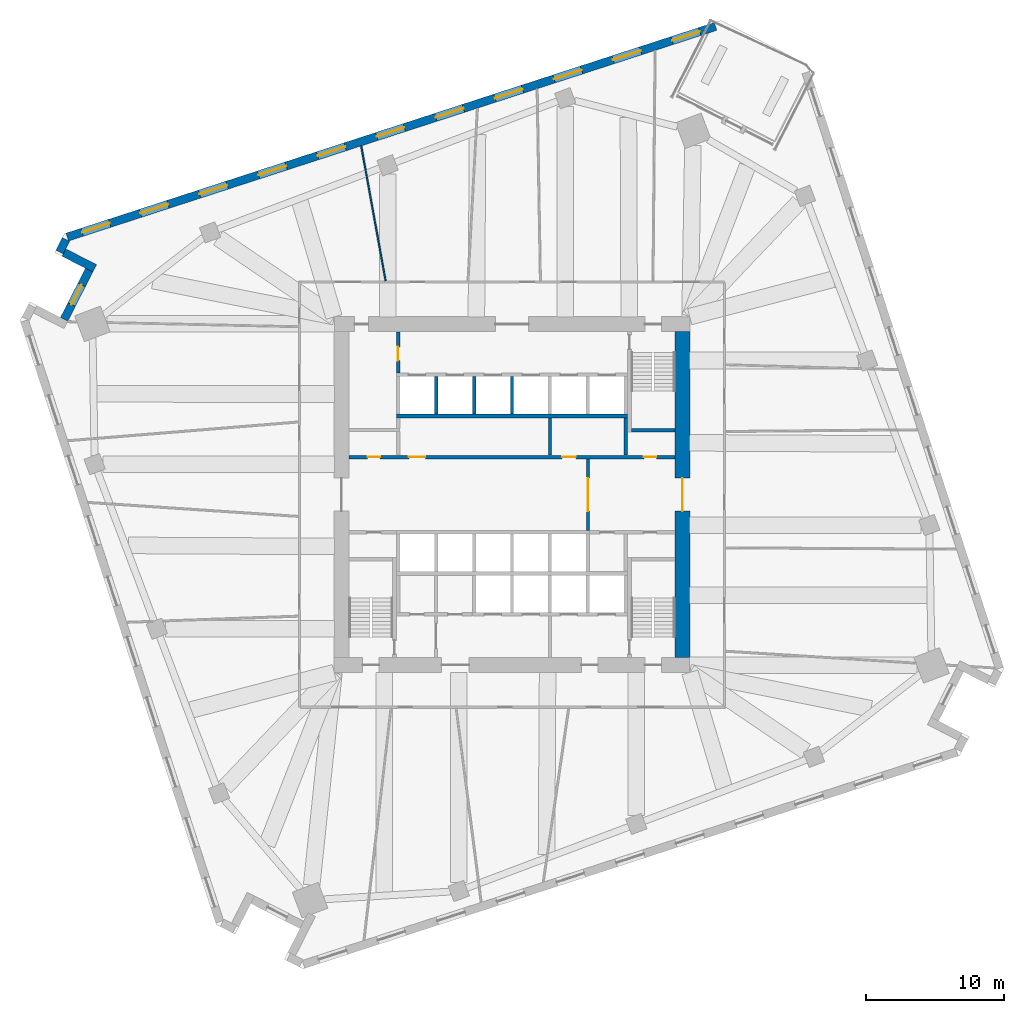
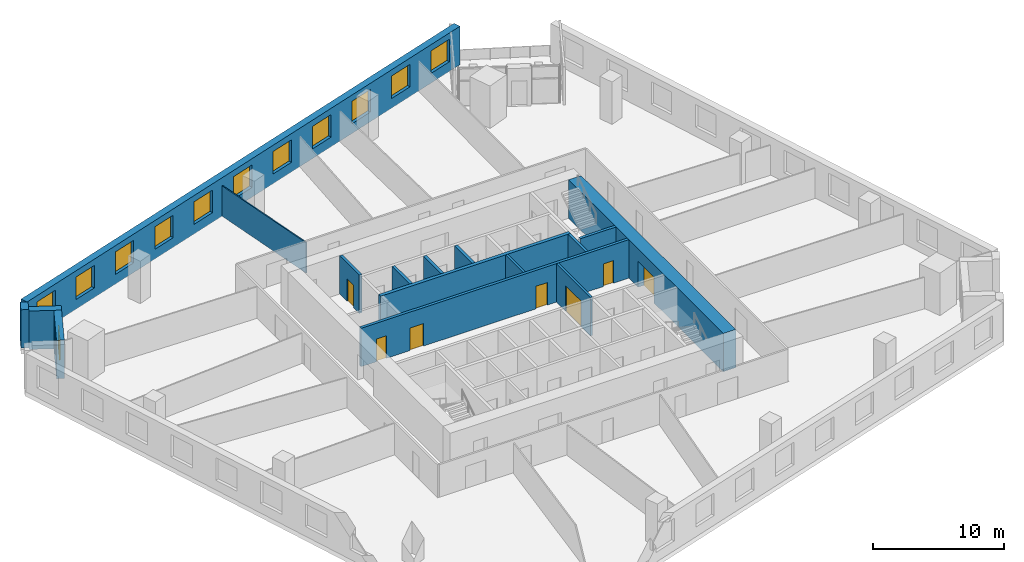
# One storey, part 8 of 12: 16 walls, 12 windows, 7 doors, 19 openings.
"""IFC4 building model written with IfcOpenShell, lengths in metres."""

from ifc_helpers import new_model, si_unit, direction, frame, frame_2d, origin, place, context, subcontext, project, spatial, rectangle, extrude, material, layer, layer_set, type_object, element, fill, save


model = new_model("IFC4")

# Units and contexts
model_context = context("Model", 3, precision=1e-05, world=origin(), true_north=direction((0.0, 1.0)))
body_context = subcontext(model_context, "Body", "Model", "MODEL_VIEW")
ifc_project = project(units=[si_unit("LENGTHUNIT", "METRE"), si_unit("AREAUNIT", "SQUARE_METRE"), si_unit("VOLUMEUNIT", "CUBIC_METRE"), si_unit("PLANEANGLEUNIT", "RADIAN"), si_unit("MASSUNIT", "GRAM", prefix="KILO")], contexts=[model_context])

# Site, building, storey
site_placement = place(None, origin())
site = spatial("IfcSite", under=ifc_project, at=site_placement, CompositionType="ELEMENT")
building_placement = place(site_placement, origin())
building = spatial("IfcBuilding", under=site, at=building_placement, Name="Dilmun Exchange Tower", CompositionType="ELEMENT")
storey_placement = place(building_placement, frame((0.0, 0.0, 90.10009765625)))
storey = spatial("IfcBuildingStorey", under=building, at=storey_placement, Name="L20", CompositionType="ELEMENT", Elevation=90.10009765625)

# Wall, opening, door
ifc_material_1 = material(Name="Concrete C40/50", Category="concrete")
ifc_layer_1 = layer(ifc_material_1, 0.199951171875)
ifc_layer_set_1 = layer_set([ifc_layer_1], Name="Concrete C40/50")
wall_type_1 = type_object("IfcWallType", Name="Core partition wall 200", PredefinedType="PARTITIONING", material=ifc_layer_set_1)
wall_1_placement = place(storey_placement, frame((5.5, -2.594970703125, 0.0), z_axis=(0.0, 0.0, 1.0), x_axis=(0.0, 1.0, 0.0)))
wall_1 = element("IfcWall", 1, at=wall_1_placement, inside=storey, type_object=wall_type_1, Name="L20 core partition wall 09", PredefinedType="PARTITIONING", context=body_context, shape_type="SweptSolid", body=[
    extrude(rectangle(XDim=5.18994140625, YDim=0.199951171875, at=frame_2d((2.594970703125, 0.0))), origin(), (0.0, 0.0, 1.0), 3.579833984375),
])
opening_1_placement = place(wall_1_placement, frame((1.39501953125, 0.0, 0.0)))
opening_1 = element("IfcOpeningElement", 2, at=opening_1_placement, cuts=wall_1, Name="Opening CD1", PredefinedType="OPENING", context=body_context, shape_type="SweptSolid", body=[
    extrude(rectangle(XDim=2.39990234375, YDim=2.39990234375, at=frame_2d((1.199951171875, 1.199951171875))), frame((0.0, 0.10986328125, 0.0), z_axis=(0.0, -1.0, 0.0), x_axis=(1.0, 0.0, 0.0)), (0.0, 0.0, 1.0), 0.219970703125),
])
ifc_material_2 = material(Name="Fire-rated steel door set", Category="steel")
door_type_1 = type_object("IfcDoorType", Name="Core lobby door 2400x2400", OperationType="DOUBLE_DOOR_DOUBLE_SWING", PredefinedType="DOOR", material=ifc_material_2)
door_1_placement = place(opening_1_placement, origin())
door_1 = element("IfcDoor", 3, at=door_1_placement, inside=storey, type_object=door_type_1, Name="L20 door Lift lobby east", OperationType="SINGLE_SWING_LEFT", OverallHeight=2.39990234375, OverallWidth=2.39990234375, PredefinedType="DOOR", context=body_context, shape_type="SweptSolid", body=[
    extrude(rectangle(XDim=2.39990234375, YDim=2.39990234375, at=frame_2d((1.199951171875, 1.199951171875))), frame((0.0, 0.02490234375, 0.0), z_axis=(0.0, -1.0, 0.0), x_axis=(1.0, 0.0, 0.0)), (0.0, 0.0, 1.0), 0.050048828125),
])
fill(opening_1, door_1)

# Wall
wall_2_placement = place(storey_placement, frame((2.75, 2.85498046875, 0.0), z_axis=(0.0, 0.0, 1.0), x_axis=(0.0, 1.0, 0.0)))
element("IfcWall", 4, at=wall_2_placement, inside=storey, type_object=wall_type_1, Name="L20 core partition wall 12", PredefinedType="PARTITIONING", context=body_context, shape_type="SweptSolid", body=[
    extrude(rectangle(XDim=2.68994140625, YDim=0.199951171875, at=frame_2d((1.344970703125, 0.0))), origin(), (0.0, 0.0, 1.0), 3.579833984375),
])

# Wall, openings, doors
ifc_layer_2 = layer(ifc_material_1, 0.25)
ifc_layer_set_2 = layer_set([ifc_layer_2], Name="Concrete C40/50")
wall_type_2 = type_object("IfcWallType", Name="Core partition wall 250", PredefinedType="PARTITIONING", material=ifc_layer_set_2)
wall_3_placement = place(storey_placement, frame((-11.794921875, 2.72509765625, 0.0), z_axis=(0.0, 0.0, 1.0), x_axis=(1.0, 0.0, 0.0)))
wall_3 = element("IfcWall", 5, at=wall_3_placement, inside=storey, type_object=wall_type_2, Name="L20 core partition wall 10", PredefinedType="PARTITIONING", context=body_context, shape_type="SweptSolid", body=[
    extrude(rectangle(XDim=23.58984375, YDim=0.25, at=frame_2d((11.794921875, 0.0))), origin(), (0.0, 0.0, 1.0), 3.579833984375),
])
opening_2_placement = place(wall_3_placement, frame((21.344970703125, 0.0, 0.0)))
opening_2 = element("IfcOpeningElement", 6, at=opening_2_placement, cuts=wall_3, Name="Opening CD6", PredefinedType="OPENING", context=body_context, shape_type="SweptSolid", body=[
    extrude(rectangle(XDim=0.89990234375, YDim=2.10009765625, at=frame_2d((0.449951171875, 1.050048828125))), frame((0.0, 0.135009765625, 0.0), z_axis=(0.0, -1.0, 0.0), x_axis=(1.0, 0.0, 0.0)), (0.0, 0.0, 1.0), 0.27001953125),
])
opening_3_placement = place(wall_3_placement, frame((1.344970703125, 0.0, 0.0)))
opening_3 = element("IfcOpeningElement", 7, at=opening_3_placement, cuts=wall_3, Name="Opening CD6", PredefinedType="OPENING", context=body_context, shape_type="SweptSolid", body=[
    extrude(rectangle(XDim=0.89990234375, YDim=2.10009765625, at=frame_2d((0.449951171875, 1.050048828125))), frame((0.0, 0.135009765625, 0.0), z_axis=(0.0, -1.0, 0.0), x_axis=(1.0, 0.0, 0.0)), (0.0, 0.0, 1.0), 0.27001953125),
])
opening_4_placement = place(wall_3_placement, frame((4.320068359375, 0.0, 0.0)))
opening_4 = element("IfcOpeningElement", 8, at=opening_4_placement, cuts=wall_3, Name="Opening CD3", PredefinedType="OPENING", context=body_context, shape_type="SweptSolid", body=[
    extrude(rectangle(XDim=1.199951171875, YDim=2.10009765625, at=frame_2d((0.60009765625, 1.050048828125))), frame((0.0, 0.135009765625, 0.0), z_axis=(0.0, -1.0, 0.0), x_axis=(1.0, 0.0, 0.0)), (0.0, 0.0, 1.0), 0.27001953125),
])
opening_5_placement = place(wall_3_placement, frame((15.419921875, 0.0, 0.0)))
opening_5 = element("IfcOpeningElement", 9, at=opening_5_placement, cuts=wall_3, Name="Opening CD4", PredefinedType="OPENING", context=body_context, shape_type="SweptSolid", body=[
    extrude(rectangle(XDim=1.0, YDim=2.10009765625, at=frame_2d((0.5, 1.050048828125))), frame((0.0, 0.135009765625, 0.0), z_axis=(0.0, -1.0, 0.0), x_axis=(1.0, 0.0, 0.0)), (0.0, 0.0, 1.0), 0.27001953125),
])
door_type_2 = type_object("IfcDoorType", Name="Core room door 1000x2100", OperationType="SINGLE_SWING_LEFT", PredefinedType="DOOR", material=ifc_material_2)
door_2_placement = place(opening_5_placement, origin())
door_2 = element("IfcDoor", 10, at=door_2_placement, inside=storey, type_object=door_type_2, Name="L20 door Switch room", OperationType="SINGLE_SWING_LEFT", OverallHeight=2.10009765625, OverallWidth=1.0, PredefinedType="DOOR", context=body_context, shape_type="SweptSolid", body=[
    extrude(rectangle(XDim=1.0, YDim=2.10009765625, at=frame_2d((0.5, 1.050048828125))), frame((0.0, 0.02490234375, 0.0), z_axis=(0.0, -1.0, 0.0), x_axis=(1.0, 0.0, 0.0)), (0.0, 0.0, 1.0), 0.050048828125),
])
fill(opening_5, door_2)
door_type_3 = type_object("IfcDoorType", Name="Core room door 900x2100", OperationType="SINGLE_SWING_LEFT", PredefinedType="DOOR", material=ifc_material_2)
door_3_placement = place(opening_2_placement, origin())
door_3 = element("IfcDoor", 11, at=door_3_placement, inside=storey, type_object=door_type_3, Name="L20 door Electrical riser", OperationType="SINGLE_SWING_LEFT", OverallHeight=2.10009765625, OverallWidth=0.89990234375, PredefinedType="DOOR", context=body_context, shape_type="SweptSolid", body=[
    extrude(rectangle(XDim=0.89990234375, YDim=2.10009765625, at=frame_2d((0.449951171875, 1.050048828125))), frame((0.0, 0.02490234375, 0.0), z_axis=(0.0, -1.0, 0.0), x_axis=(1.0, 0.0, 0.0)), (0.0, 0.0, 1.0), 0.050048828125),
])
fill(opening_2, door_3)
door_4_placement = place(opening_3_placement, origin())
door_4 = element("IfcDoor", 12, at=door_4_placement, inside=storey, type_object=door_type_3, Name="L20 door Plumbing riser", OperationType="SINGLE_SWING_LEFT", OverallHeight=2.10009765625, OverallWidth=0.89990234375, PredefinedType="DOOR", context=body_context, shape_type="SweptSolid", body=[
    extrude(rectangle(XDim=0.89990234375, YDim=2.10009765625, at=frame_2d((0.449951171875, 1.050048828125))), frame((0.0, 0.02490234375, 0.0), z_axis=(0.0, -1.0, 0.0), x_axis=(1.0, 0.0, 0.0)), (0.0, 0.0, 1.0), 0.050048828125),
])
fill(opening_3, door_4)
door_type_4 = type_object("IfcDoorType", Name="Stair exit door 1200x2100", OperationType="SINGLE_SWING_LEFT", PredefinedType="DOOR", material=ifc_material_2)
door_5_placement = place(opening_4_placement, origin())
door_5 = element("IfcDoor", 13, at=door_5_placement, inside=storey, type_object=door_type_4, Name="L20 door Tenant amenity store", OperationType="SINGLE_SWING_LEFT", OverallHeight=2.10009765625, OverallWidth=1.199951171875, PredefinedType="DOOR", context=body_context, shape_type="SweptSolid", body=[
    extrude(rectangle(XDim=1.199951171875, YDim=2.10009765625, at=frame_2d((0.60009765625, 1.050048828125))), frame((0.0, 0.02490234375, 0.0), z_axis=(0.0, -1.0, 0.0), x_axis=(1.0, 0.0, 0.0)), (0.0, 0.0, 1.0), 0.050048828125),
])
fill(opening_4, door_5)

# Wall
wall_4_placement = place(storey_placement, frame((8.25, 2.85498046875, 0.0), z_axis=(0.0, 0.0, 1.0), x_axis=(0.0, 1.0, 0.0)))
element("IfcWall", 14, at=wall_4_placement, inside=storey, type_object=wall_type_2, Name="L20 core partition wall 13", PredefinedType="PARTITIONING", context=body_context, shape_type="SweptSolid", body=[
    extrude(rectangle(XDim=2.68994140625, YDim=0.25, at=frame_2d((1.344970703125, 0.0))), origin(), (0.0, 0.0, 1.0), 3.579833984375),
])

# Wall, opening, door
wall_5_placement = place(storey_placement, frame((-8.25, 8.804931640625, 0.0), z_axis=(0.0, 0.0, 1.0), x_axis=(0.0, 1.0, 0.0)))
wall_5 = element("IfcWall", 15, at=wall_5_placement, inside=storey, type_object=wall_type_2, Name="L20 core partition wall 16", PredefinedType="PARTITIONING", context=body_context, shape_type="SweptSolid", body=[
    extrude(rectangle(XDim=2.989990234375, YDim=0.25, at=frame_2d((1.4951171875, 0.0))), origin(), (0.0, 0.0, 1.0), 3.579833984375),
])
opening_6_placement = place(wall_5_placement, frame((0.89501953125, 0.0, 0.0)))
opening_6 = element("IfcOpeningElement", 16, at=opening_6_placement, cuts=wall_5, Name="Opening CD4", PredefinedType="OPENING", context=body_context, shape_type="SweptSolid", body=[
    extrude(rectangle(XDim=1.0, YDim=2.10009765625, at=frame_2d((0.5, 1.050048828125))), frame((0.0, 0.135009765625, 0.0), z_axis=(0.0, -1.0, 0.0), x_axis=(1.0, 0.0, 0.0)), (0.0, 0.0, 1.0), 0.27001953125),
])
door_6_placement = place(opening_6_placement, origin())
door_6 = element("IfcDoor", 17, at=door_6_placement, inside=storey, type_object=door_type_2, Name="L20 door Facilities office", OperationType="SINGLE_SWING_LEFT", OverallHeight=2.10009765625, OverallWidth=1.0, PredefinedType="DOOR", context=body_context, shape_type="SweptSolid", body=[
    extrude(rectangle(XDim=1.0, YDim=2.10009765625, at=frame_2d((0.5, 1.050048828125))), frame((0.0, 0.02490234375, 0.0), z_axis=(0.0, -1.0, 0.0), x_axis=(1.0, 0.0, 0.0)), (0.0, 0.0, 1.0), 0.050048828125),
])
fill(opening_6, door_6)

ifc_material_3 = material(Name="Concrete C80/95", Category="concrete")
ifc_layer_3 = layer(ifc_material_3, 1.10009765625)
ifc_layer_set_3 = layer_set([ifc_layer_3], Name="Concrete C80/95")
wall_type_3 = type_object("IfcWallType", Name="Core shear wall 1100 Concrete C80/95", PredefinedType="SHEAR", material=ifc_layer_set_3)
wall_6_placement = place(storey_placement, frame((12.35009765625, -11.800048828125, 0.0), z_axis=(0.0, 0.0, 1.0), x_axis=(0.0, 1.0, 0.0)))
wall_6 = element("IfcWall", 18, at=wall_6_placement, inside=storey, type_object=wall_type_3, Name="L20 core shear wall E", PredefinedType="SHEAR", context=body_context, shape_type="SweptSolid", body=[
    extrude(rectangle(XDim=23.60009765625, YDim=1.10009765625, at=frame_2d((11.800048828125, 0.0))), origin(), (0.0, 0.0, 1.0), 3.579833984375),
])
opening_7_placement = place(wall_6_placement, frame((10.60009765625, 0.0, 0.0)))
opening_7 = element("IfcOpeningElement", 19, at=opening_7_placement, cuts=wall_6, Name="Opening CD1", PredefinedType="OPENING", context=body_context, shape_type="SweptSolid", body=[
    extrude(rectangle(XDim=2.39990234375, YDim=2.39990234375, at=frame_2d((1.199951171875, 1.199951171875))), frame((0.0, 0.56005859375, 0.0), z_axis=(0.0, -1.0, 0.0), x_axis=(1.0, 0.0, 0.0)), (0.0, 0.0, 1.0), 1.1201171875),
])
door_7_placement = place(opening_7_placement, origin())
door_7 = element("IfcDoor", 20, at=door_7_placement, inside=storey, type_object=door_type_1, Name="L20 door Central lift lobby", OperationType="SINGLE_SWING_LEFT", OverallHeight=2.39990234375, OverallWidth=2.39990234375, PredefinedType="DOOR", context=body_context, shape_type="SweptSolid", body=[
    extrude(rectangle(XDim=2.39990234375, YDim=2.39990234375, at=frame_2d((1.199951171875, 1.199951171875))), frame((0.0, 0.02490234375, 0.0), z_axis=(0.0, -1.0, 0.0), x_axis=(1.0, 0.0, 0.0)), (0.0, 0.0, 1.0), 0.050048828125),
])
fill(opening_7, door_7)

# Walls
ifc_layer_4 = layer(ifc_material_1, 0.300048828125)
ifc_layer_set_4 = layer_set([ifc_layer_4], Name="Concrete C40/50")
wall_type_4 = type_object("IfcWallType", Name="Lift shaft shared wall 300", PredefinedType="SOLIDWALL", material=ifc_layer_set_4)
wall_7_placement = place(storey_placement, frame((-8.375, 5.699951171875, 0.0), z_axis=(0.0, 0.0, 1.0), x_axis=(1.0, 0.0, 0.0)))
element("IfcWall", 21, at=wall_7_placement, inside=storey, type_object=wall_type_4, Name="L20 lift shaft rear wall N", PredefinedType="SOLIDWALL", context=body_context, shape_type="SweptSolid", body=[
    extrude(rectangle(XDim=16.75, YDim=0.300048828125, at=frame_2d((8.375, 0.0))), origin(), (0.0, 0.0, 1.0), 3.579833984375),
])
ifc_layer_5 = layer(ifc_material_1, 0.25)
ifc_layer_set_5 = layer_set([ifc_layer_5], Name="Concrete C40/50")
wall_type_5 = type_object("IfcWallType", Name="Lift shaft wall 250", PredefinedType="SOLIDWALL", material=ifc_layer_set_5)
for number, where, z_axis, x_axis, name in (
    (22, (-5.5, 5.85009765625, 0.0), (0.0, 0.0, 1.0), (0.0, 1.0, 0.0), "L20 lift shaft divider N21"),
    (23, (-2.75, 5.85009765625, 0.0), (0.0, 0.0, 1.0), (0.0, 1.0, 0.0), "L20 lift shaft divider N22"),
    (24, (0.0, 5.85009765625, 0.0), (0.0, 0.0, 1.0), (0.0, 1.0, 0.0), "L20 lift shaft divider N23"),
):
    element("IfcWall", number, at=place(storey_placement, frame(where, z_axis=z_axis, x_axis=x_axis)), inside=storey, type_object=wall_type_5, Name=name, PredefinedType="SOLIDWALL", context=body_context, shape_type="SweptSolid", body=[
        extrude(rectangle(XDim=2.699951171875, YDim=0.25, at=frame_2d((1.35009765625, 0.0))), origin(), (0.0, 0.0, 1.0), 3.579833984375),
    ])
ifc_material_4 = material(Name="Partition 100")
ifc_layer_6 = layer(ifc_material_4, 0.10009765625)
ifc_layer_set_6 = layer_set([ifc_layer_6], Name="Partition 100")
wall_type_6 = type_object("IfcWallType", Name="Partition 100", PredefinedType="PARTITIONING", material=ifc_layer_set_6)
wall_8_placement = place(storey_placement, frame((-10.923583984375, 25.258544921875, 0.0), z_axis=(0.0, 0.0, 1.0), x_axis=(0.178208444623, -0.983992759254, 0.0)))
element("IfcWall", 25, at=wall_8_placement, inside=storey, type_object=wall_type_6, Name="Partition", PredefinedType="PARTITIONING", context=body_context, shape_type="SweptSolid", body=[
    extrude(rectangle(XDim=9.93359375, YDim=0.10009765625, at=frame_2d((4.966796875, 0.0))), origin(), (0.0, 0.0, 1.0), 2.829833984375),
])

# Wall, openings, windows
ifc_material_5 = material(Name="Precast concrete C50/60", Category="concrete")
ifc_layer_7 = layer(ifc_material_5, 0.60009765625)
ifc_layer_set_7 = layer_set([ifc_layer_7], Name="Precast concrete C50/60")
wall_type_7 = type_object("IfcWallType", Name="Precast stone-clad wall 600", PredefinedType="STANDARD", material=ifc_layer_set_7)
wall_9_placement = place(storey_placement, frame((14.7412109375, 33.915283203125, 0.0), z_axis=(0.0, 0.0, 1.0), x_axis=(-0.951056049788, -0.309018430131, 0.0)))
wall_9 = element("IfcWall", 26, at=wall_9_placement, inside=storey, type_object=wall_type_7, Name="Facade wall L20-03", PredefinedType="STANDARD", context=body_context, shape_type="SweptSolid", body=[
    extrude(rectangle(XDim=49.3759765625, YDim=0.60009765625, at=frame_2d((24.68798828125, 0.0))), origin(), (0.0, 0.0, 1.0), 3.579833984375),
])
opening_8_placement = place(wall_9_placement, frame((1.199951171875, 0.0, 0.89990234375)))
opening_8 = element("IfcOpeningElement", 27, at=opening_8_placement, cuts=wall_9, Name="Opening W210-210", PredefinedType="OPENING", context=body_context, shape_type="SweptSolid", body=[
    extrude(rectangle(XDim=2.10009765625, YDim=2.10009765625, at=frame_2d((1.050048828125, 1.050048828125))), frame((0.0, 0.31005859375, 0.0), z_axis=(0.0, -1.0, 0.0), x_axis=(1.0, 0.0, 0.0)), (0.0, 0.0, 1.0), 0.6201171875),
])
opening_9_placement = place(wall_9_placement, frame((5.699951171875, 0.0, 0.89990234375)))
opening_9 = element("IfcOpeningElement", 28, at=opening_9_placement, cuts=wall_9, Name="Opening W210-210", PredefinedType="OPENING", context=body_context, shape_type="SweptSolid", body=[
    extrude(rectangle(XDim=2.10009765625, YDim=2.10009765625, at=frame_2d((1.050048828125, 1.050048828125))), frame((0.0, 0.31005859375, 0.0), z_axis=(0.0, -1.0, 0.0), x_axis=(1.0, 0.0, 0.0)), (0.0, 0.0, 1.0), 0.6201171875),
])
opening_10_placement = place(wall_9_placement, frame((10.199951171875, 0.0, 0.89990234375)))
opening_10 = element("IfcOpeningElement", 29, at=opening_10_placement, cuts=wall_9, Name="Opening W210-210", PredefinedType="OPENING", context=body_context, shape_type="SweptSolid", body=[
    extrude(rectangle(XDim=2.10009765625, YDim=2.10009765625, at=frame_2d((1.050048828125, 1.050048828125))), frame((0.0, 0.31005859375, 0.0), z_axis=(0.0, -1.0, 0.0), x_axis=(1.0, 0.0, 0.0)), (0.0, 0.0, 1.0), 0.6201171875),
])
opening_11_placement = place(wall_9_placement, frame((14.699951171875, 0.0, 0.89990234375)))
opening_11 = element("IfcOpeningElement", 30, at=opening_11_placement, cuts=wall_9, Name="Opening W210-210", PredefinedType="OPENING", context=body_context, shape_type="SweptSolid", body=[
    extrude(rectangle(XDim=2.10009765625, YDim=2.10009765625, at=frame_2d((1.050048828125, 1.050048828125))), frame((0.0, 0.31005859375, 0.0), z_axis=(0.0, -1.0, 0.0), x_axis=(1.0, 0.0, 0.0)), (0.0, 0.0, 1.0), 0.6201171875),
])
opening_12_placement = place(wall_9_placement, frame((19.199951171875, 0.0, 0.89990234375)))
opening_12 = element("IfcOpeningElement", 31, at=opening_12_placement, cuts=wall_9, Name="Opening W210-210", PredefinedType="OPENING", context=body_context, shape_type="SweptSolid", body=[
    extrude(rectangle(XDim=2.10009765625, YDim=2.10009765625, at=frame_2d((1.050048828125, 1.050048828125))), frame((0.0, 0.31005859375, 0.0), z_axis=(0.0, -1.0, 0.0), x_axis=(1.0, 0.0, 0.0)), (0.0, 0.0, 1.0), 0.6201171875),
])
opening_13_placement = place(wall_9_placement, frame((23.699951171875, 0.0, 0.89990234375)))
opening_13 = element("IfcOpeningElement", 32, at=opening_13_placement, cuts=wall_9, Name="Opening W210-210", PredefinedType="OPENING", context=body_context, shape_type="SweptSolid", body=[
    extrude(rectangle(XDim=2.10009765625, YDim=2.10009765625, at=frame_2d((1.050048828125, 1.050048828125))), frame((0.0, 0.31005859375, 0.0), z_axis=(0.0, -1.0, 0.0), x_axis=(1.0, 0.0, 0.0)), (0.0, 0.0, 1.0), 0.6201171875),
])
opening_14_placement = place(wall_9_placement, frame((28.199951171875, 0.0, 0.89990234375)))
opening_14 = element("IfcOpeningElement", 33, at=opening_14_placement, cuts=wall_9, Name="Opening W210-210", PredefinedType="OPENING", context=body_context, shape_type="SweptSolid", body=[
    extrude(rectangle(XDim=2.10009765625, YDim=2.10009765625, at=frame_2d((1.050048828125, 1.050048828125))), frame((0.0, 0.31005859375, 0.0), z_axis=(0.0, -1.0, 0.0), x_axis=(1.0, 0.0, 0.0)), (0.0, 0.0, 1.0), 0.6201171875),
])
opening_15_placement = place(wall_9_placement, frame((32.699951171875, 0.0, 0.89990234375)))
opening_15 = element("IfcOpeningElement", 34, at=opening_15_placement, cuts=wall_9, Name="Opening W210-210", PredefinedType="OPENING", context=body_context, shape_type="SweptSolid", body=[
    extrude(rectangle(XDim=2.10009765625, YDim=2.10009765625, at=frame_2d((1.050048828125, 1.050048828125))), frame((0.0, 0.31005859375, 0.0), z_axis=(0.0, -1.0, 0.0), x_axis=(1.0, 0.0, 0.0)), (0.0, 0.0, 1.0), 0.6201171875),
])
opening_16_placement = place(wall_9_placement, frame((37.199951171875, 0.0, 0.89990234375)))
opening_16 = element("IfcOpeningElement", 35, at=opening_16_placement, cuts=wall_9, Name="Opening W210-210", PredefinedType="OPENING", context=body_context, shape_type="SweptSolid", body=[
    extrude(rectangle(XDim=2.10009765625, YDim=2.10009765625, at=frame_2d((1.050048828125, 1.050048828125))), frame((0.0, 0.31005859375, 0.0), z_axis=(0.0, -1.0, 0.0), x_axis=(1.0, 0.0, 0.0)), (0.0, 0.0, 1.0), 0.6201171875),
])
opening_17_placement = place(wall_9_placement, frame((41.699951171875, 0.0, 0.89990234375)))
opening_17 = element("IfcOpeningElement", 36, at=opening_17_placement, cuts=wall_9, Name="Opening W210-210", PredefinedType="OPENING", context=body_context, shape_type="SweptSolid", body=[
    extrude(rectangle(XDim=2.10009765625, YDim=2.10009765625, at=frame_2d((1.050048828125, 1.050048828125))), frame((0.0, 0.31005859375, 0.0), z_axis=(0.0, -1.0, 0.0), x_axis=(1.0, 0.0, 0.0)), (0.0, 0.0, 1.0), 0.6201171875),
])
opening_18_placement = place(wall_9_placement, frame((46.137939453125, 0.0, 0.89990234375)))
opening_18 = element("IfcOpeningElement", 37, at=opening_18_placement, cuts=wall_9, Name="Opening W210-210", PredefinedType="OPENING", context=body_context, shape_type="SweptSolid", body=[
    extrude(rectangle(XDim=2.10009765625, YDim=2.10009765625, at=frame_2d((1.050048828125, 1.050048828125))), frame((0.0, 0.31005859375, 0.0), z_axis=(0.0, -1.0, 0.0), x_axis=(1.0, 0.0, 0.0)), (0.0, 0.0, 1.0), 0.6201171875),
])
ifc_material_6 = material(Name="Clear low-emissivity glass in aluminium frame", Category="aluminium")
window_type_1 = type_object("IfcWindowType", Name="Punched window 2100 x 2100", PartitioningType="DOUBLE_PANEL_VERTICAL", PredefinedType="WINDOW", material=ifc_material_6)
window_1_placement = place(opening_8_placement, origin())
window_1 = element("IfcWindow", 38, at=window_1_placement, inside=storey, type_object=window_type_1, Name="Window 4.1", OverallHeight=2.10009765625, OverallWidth=2.10009765625, PartitioningType="SINGLE_PANEL", PredefinedType="WINDOW", context=body_context, shape_type="SweptSolid", body=[
    extrude(rectangle(XDim=2.10009765625, YDim=2.10009765625, at=frame_2d((1.050048828125, 1.050048828125))), frame((0.0, 0.030029296875, 0.0), z_axis=(0.0, -1.0, 0.0), x_axis=(1.0, 0.0, 0.0)), (0.0, 0.0, 1.0), 0.06005859375),
])
fill(opening_8, window_1)
window_2_placement = place(opening_9_placement, origin())
window_2 = element("IfcWindow", 39, at=window_2_placement, inside=storey, type_object=window_type_1, Name="Window 4.2", OverallHeight=2.10009765625, OverallWidth=2.10009765625, PartitioningType="SINGLE_PANEL", PredefinedType="WINDOW", context=body_context, shape_type="SweptSolid", body=[
    extrude(rectangle(XDim=2.10009765625, YDim=2.10009765625, at=frame_2d((1.050048828125, 1.050048828125))), frame((0.0, 0.030029296875, 0.0), z_axis=(0.0, -1.0, 0.0), x_axis=(1.0, 0.0, 0.0)), (0.0, 0.0, 1.0), 0.06005859375),
])
fill(opening_9, window_2)
window_3_placement = place(opening_10_placement, origin())
window_3 = element("IfcWindow", 40, at=window_3_placement, inside=storey, type_object=window_type_1, Name="Window 4.3", OverallHeight=2.10009765625, OverallWidth=2.10009765625, PartitioningType="SINGLE_PANEL", PredefinedType="WINDOW", context=body_context, shape_type="SweptSolid", body=[
    extrude(rectangle(XDim=2.10009765625, YDim=2.10009765625, at=frame_2d((1.050048828125, 1.050048828125))), frame((0.0, 0.030029296875, 0.0), z_axis=(0.0, -1.0, 0.0), x_axis=(1.0, 0.0, 0.0)), (0.0, 0.0, 1.0), 0.06005859375),
])
fill(opening_10, window_3)
window_4_placement = place(opening_11_placement, origin())
window_4 = element("IfcWindow", 41, at=window_4_placement, inside=storey, type_object=window_type_1, Name="Window 4.4", OverallHeight=2.10009765625, OverallWidth=2.10009765625, PartitioningType="SINGLE_PANEL", PredefinedType="WINDOW", context=body_context, shape_type="SweptSolid", body=[
    extrude(rectangle(XDim=2.10009765625, YDim=2.10009765625, at=frame_2d((1.050048828125, 1.050048828125))), frame((0.0, 0.030029296875, 0.0), z_axis=(0.0, -1.0, 0.0), x_axis=(1.0, 0.0, 0.0)), (0.0, 0.0, 1.0), 0.06005859375),
])
fill(opening_11, window_4)
window_5_placement = place(opening_12_placement, origin())
window_5 = element("IfcWindow", 42, at=window_5_placement, inside=storey, type_object=window_type_1, Name="Window 4.5", OverallHeight=2.10009765625, OverallWidth=2.10009765625, PartitioningType="SINGLE_PANEL", PredefinedType="WINDOW", context=body_context, shape_type="SweptSolid", body=[
    extrude(rectangle(XDim=2.10009765625, YDim=2.10009765625, at=frame_2d((1.050048828125, 1.050048828125))), frame((0.0, 0.030029296875, 0.0), z_axis=(0.0, -1.0, 0.0), x_axis=(1.0, 0.0, 0.0)), (0.0, 0.0, 1.0), 0.06005859375),
])
fill(opening_12, window_5)
window_6_placement = place(opening_13_placement, origin())
window_6 = element("IfcWindow", 43, at=window_6_placement, inside=storey, type_object=window_type_1, Name="Window 4.6", OverallHeight=2.10009765625, OverallWidth=2.10009765625, PartitioningType="SINGLE_PANEL", PredefinedType="WINDOW", context=body_context, shape_type="SweptSolid", body=[
    extrude(rectangle(XDim=2.10009765625, YDim=2.10009765625, at=frame_2d((1.050048828125, 1.050048828125))), frame((0.0, 0.030029296875, 0.0), z_axis=(0.0, -1.0, 0.0), x_axis=(1.0, 0.0, 0.0)), (0.0, 0.0, 1.0), 0.06005859375),
])
fill(opening_13, window_6)
window_7_placement = place(opening_14_placement, origin())
window_7 = element("IfcWindow", 44, at=window_7_placement, inside=storey, type_object=window_type_1, Name="Window 4.7", OverallHeight=2.10009765625, OverallWidth=2.10009765625, PartitioningType="SINGLE_PANEL", PredefinedType="WINDOW", context=body_context, shape_type="SweptSolid", body=[
    extrude(rectangle(XDim=2.10009765625, YDim=2.10009765625, at=frame_2d((1.050048828125, 1.050048828125))), frame((0.0, 0.030029296875, 0.0), z_axis=(0.0, -1.0, 0.0), x_axis=(1.0, 0.0, 0.0)), (0.0, 0.0, 1.0), 0.06005859375),
])
fill(opening_14, window_7)
window_8_placement = place(opening_15_placement, origin())
window_8 = element("IfcWindow", 45, at=window_8_placement, inside=storey, type_object=window_type_1, Name="Window 4.8", OverallHeight=2.10009765625, OverallWidth=2.10009765625, PartitioningType="SINGLE_PANEL", PredefinedType="WINDOW", context=body_context, shape_type="SweptSolid", body=[
    extrude(rectangle(XDim=2.10009765625, YDim=2.10009765625, at=frame_2d((1.050048828125, 1.050048828125))), frame((0.0, 0.030029296875, 0.0), z_axis=(0.0, -1.0, 0.0), x_axis=(1.0, 0.0, 0.0)), (0.0, 0.0, 1.0), 0.06005859375),
])
fill(opening_15, window_8)
window_9_placement = place(opening_16_placement, origin())
window_9 = element("IfcWindow", 46, at=window_9_placement, inside=storey, type_object=window_type_1, Name="Window 4.9", OverallHeight=2.10009765625, OverallWidth=2.10009765625, PartitioningType="SINGLE_PANEL", PredefinedType="WINDOW", context=body_context, shape_type="SweptSolid", body=[
    extrude(rectangle(XDim=2.10009765625, YDim=2.10009765625, at=frame_2d((1.050048828125, 1.050048828125))), frame((0.0, 0.030029296875, 0.0), z_axis=(0.0, -1.0, 0.0), x_axis=(1.0, 0.0, 0.0)), (0.0, 0.0, 1.0), 0.06005859375),
])
fill(opening_16, window_9)
window_10_placement = place(opening_17_placement, origin())
window_10 = element("IfcWindow", 47, at=window_10_placement, inside=storey, type_object=window_type_1, Name="Window 4.10", OverallHeight=2.10009765625, OverallWidth=2.10009765625, PartitioningType="SINGLE_PANEL", PredefinedType="WINDOW", context=body_context, shape_type="SweptSolid", body=[
    extrude(rectangle(XDim=2.10009765625, YDim=2.10009765625, at=frame_2d((1.050048828125, 1.050048828125))), frame((0.0, 0.030029296875, 0.0), z_axis=(0.0, -1.0, 0.0), x_axis=(1.0, 0.0, 0.0)), (0.0, 0.0, 1.0), 0.06005859375),
])
fill(opening_17, window_10)
window_11_placement = place(opening_18_placement, origin())
window_11 = element("IfcWindow", 48, at=window_11_placement, inside=storey, type_object=window_type_1, Name="Window 4.11", OverallHeight=2.10009765625, OverallWidth=2.10009765625, PartitioningType="SINGLE_PANEL", PredefinedType="WINDOW", context=body_context, shape_type="SweptSolid", body=[
    extrude(rectangle(XDim=2.10009765625, YDim=2.10009765625, at=frame_2d((1.050048828125, 1.050048828125))), frame((0.0, 0.030029296875, 0.0), z_axis=(0.0, -1.0, 0.0), x_axis=(1.0, 0.0, 0.0)), (0.0, 0.0, 1.0), 0.06005859375),
])
fill(opening_18, window_11)

# Walls
wall_10_placement = place(storey_placement, frame((-32.308837890625, 18.47900390625, 0.0), z_axis=(0.0, 0.0, 1.0), x_axis=(-0.453864300157, -0.89107081483, 0.0)))
element("IfcWall", 49, at=wall_10_placement, inside=storey, type_object=wall_type_7, Name="Facade wall L20-04", PredefinedType="STANDARD", context=body_context, shape_type="SweptSolid", body=[
    extrude(rectangle(XDim=1.01123046875, YDim=0.60009765625, at=frame_2d((0.505615234375, 0.0))), origin(), (0.0, 0.0, 1.0), 3.579833984375),
])
wall_11_placement = place(storey_placement, frame((-32.455078125, 17.531005859375, 0.0), z_axis=(0.0, 0.0, 1.0), x_axis=(0.890982846276, -0.454036967263, 0.0)))
element("IfcWall", 50, at=wall_11_placement, inside=storey, type_object=wall_type_7, Name="Facade wall L20-05", PredefinedType="STANDARD", context=body_context, shape_type="SweptSolid", body=[
    extrude(rectangle(XDim=2.499755859375, YDim=0.60009765625, at=frame_2d((1.25, 0.0))), origin(), (0.0, 0.0, 1.0), 3.579833984375),
])

# Wall, opening, window
wall_12_placement = place(storey_placement, frame((-30.631103515625, 16.264892578125, 0.0), z_axis=(0.0, 0.0, 1.0), x_axis=(-0.454011719911, -0.890995711653, 0.0)))
wall_12 = element("IfcWall", 51, at=wall_12_placement, inside=storey, type_object=wall_type_7, Name="Facade wall L20-06", PredefinedType="STANDARD", context=body_context, shape_type="SweptSolid", body=[
    extrude(rectangle(XDim=4.000244140625, YDim=0.60009765625, at=frame_2d((2.0, 0.0))), origin(), (0.0, 0.0, 1.0), 3.579833984375),
])
opening_19_placement = place(wall_12_placement, frame((1.199951171875, 0.0, 0.89990234375)))
opening_19 = element("IfcOpeningElement", 52, at=opening_19_placement, cuts=wall_12, Name="Opening W160-210", PredefinedType="OPENING", context=body_context, shape_type="SweptSolid", body=[
    extrude(rectangle(XDim=1.60009765625, YDim=2.10009765625, at=frame_2d((0.800048828125, 1.050048828125))), frame((0.0, 0.31005859375, 0.0), z_axis=(0.0, -1.0, 0.0), x_axis=(1.0, 0.0, 0.0)), (0.0, 0.0, 1.0), 0.6201171875),
])
window_type_2 = type_object("IfcWindowType", Name="Punched window 1600 x 2100", PartitioningType="DOUBLE_PANEL_VERTICAL", PredefinedType="WINDOW", material=ifc_material_6)
window_12_placement = place(opening_19_placement, origin())
window_12 = element("IfcWindow", 53, at=window_12_placement, inside=storey, type_object=window_type_2, Name="Window 7.1", OverallHeight=2.10009765625, OverallWidth=1.60009765625, PartitioningType="SINGLE_PANEL", PredefinedType="WINDOW", context=body_context, shape_type="SweptSolid", body=[
    extrude(rectangle(XDim=1.60009765625, YDim=2.10009765625, at=frame_2d((0.800048828125, 1.050048828125))), frame((0.0, 0.030029296875, 0.0), z_axis=(0.0, -1.0, 0.0), x_axis=(1.0, 0.0, 0.0)), (0.0, 0.0, 1.0), 0.06005859375),
])
fill(opening_19, window_12)

# Wall
ifc_layer_8 = layer(ifc_material_1, 0.25)
ifc_layer_set_8 = layer_set([ifc_layer_8], Name="Concrete C40/50")
wall_type_8 = type_object("IfcWallType", Name="Stair end wall 250", PredefinedType="SOLIDWALL", material=ifc_layer_set_8)
wall_13_placement = place(storey_placement, frame((8.64990234375, 4.675048828125, 0.0), z_axis=(0.0, 0.0, 1.0), x_axis=(1.0, 0.0, 0.0)))
element("IfcWall", 54, at=wall_13_placement, inside=storey, type_object=wall_type_8, Name="L20 ST1 far wall", PredefinedType="SOLIDWALL", context=body_context, shape_type="SweptSolid", body=[
    extrude(rectangle(XDim=3.150146484375, YDim=0.25, at=frame_2d((1.5751953125, 0.0))), origin(), (0.0, 0.0, 1.0), 3.579833984375),
])

save(model, "model.ifc")
